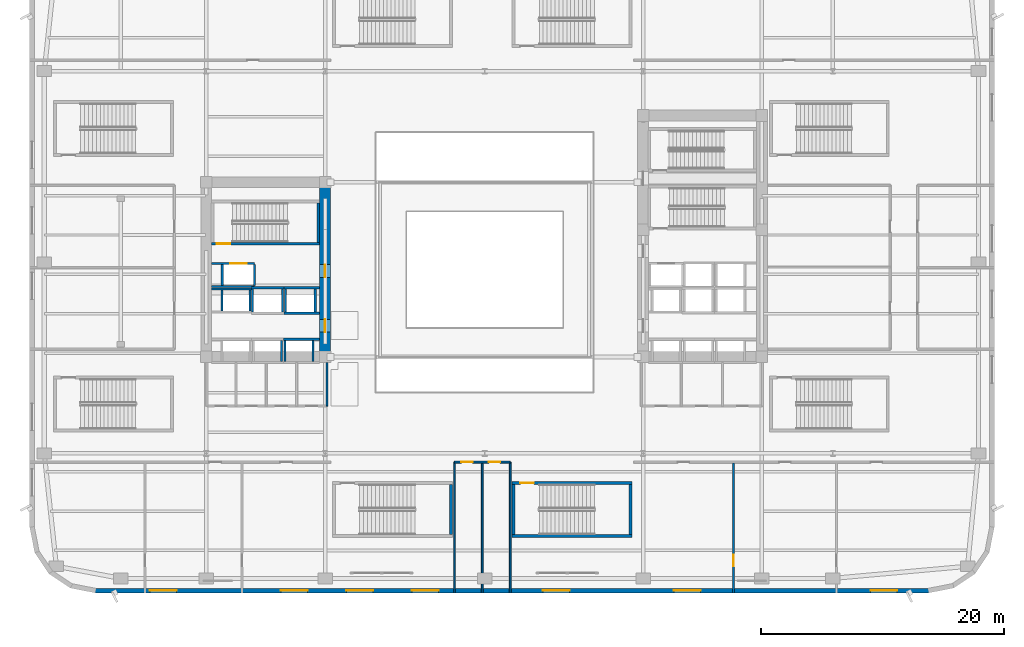
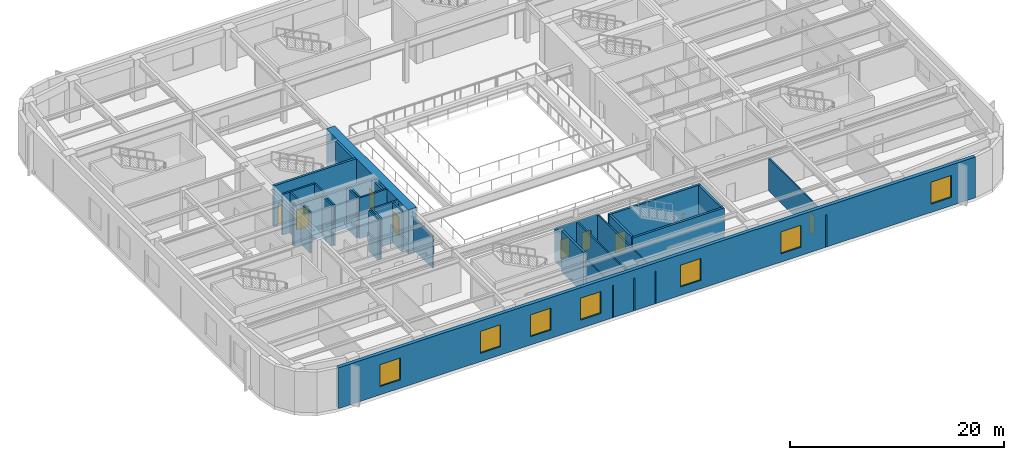
# One storey, part 7 of 22: 33 walls, 8 doors, 7 windows, 15 openings.
"""IFC4 building model written with IfcOpenShell, lengths in metres."""

from ifc_helpers import new_model, si_unit, direction, frame, frame_2d, origin, place, context, subcontext, project, spatial, rectangle, extrude, material, layer, layer_set, type_object, element, fill, save


model = new_model("IFC4")

# Units and contexts
model_context = context("Model", 3, precision=1e-05, world=origin(), true_north=direction((0.0, 1.0)))
body_context = subcontext(model_context, "Body", "Model", "MODEL_VIEW")
ifc_project = project(units=[si_unit("LENGTHUNIT", "METRE"), si_unit("AREAUNIT", "SQUARE_METRE"), si_unit("VOLUMEUNIT", "CUBIC_METRE"), si_unit("PLANEANGLEUNIT", "RADIAN"), si_unit("MASSUNIT", "GRAM", prefix="KILO")], contexts=[model_context])

# Site, building, storey
site_placement = place(None, origin())
site = spatial("IfcSite", under=ifc_project, at=site_placement, CompositionType="ELEMENT")
building_placement = place(site_placement, origin())
building = spatial("IfcBuilding", under=site, at=building_placement, Name="Kolvaren Arena Tower", CompositionType="ELEMENT")
storey_placement = place(building_placement, frame((0.0, 0.0, 13.0)))
storey = spatial("IfcBuildingStorey", under=building, at=storey_placement, Name="L02", CompositionType="ELEMENT", Elevation=13.0)

# Wall, openings, doors
ifc_material_1 = material(Name="Gypsum board acoustic assembly", Category="gypsum")
ifc_layer_1 = layer(ifc_material_1, 0.159912109375)
ifc_layer_set_1 = layer_set([ifc_layer_1], Name="Gypsum board acoustic assembly")
wall_type_1 = type_object("IfcWallType", Name="CORR-160", PredefinedType="PARTITIONING", material=ifc_layer_set_1)
wall_1_placement = place(storey_placement, frame((35.0, 10.780029296875, 0.0), z_axis=(0.0, 0.0, 1.0), x_axis=(1.0, 0.0, 0.0)))
wall_1 = element("IfcWall", 1, at=wall_1_placement, inside=storey, type_object=wall_type_1, Name="Interior Partition Wall (L02)", PredefinedType="PARTITIONING", context=body_context, shape_type="SweptSolid", body=[
    extrude(rectangle(XDim=4.60009765625, YDim=0.159912109375, at=frame_2d((2.300048828125, 0.0))), origin(), (0.0, 0.0, 1.0), 3.7099609375),
])
opening_1_placement = place(wall_1_placement, frame((0.550048828125, 0.0, 0.0)))
opening_1 = element("IfcOpeningElement", 2, at=opening_1_placement, cuts=wall_1, Name="Opening D05", PredefinedType="OPENING", context=body_context, shape_type="SweptSolid", body=[
    extrude(rectangle(XDim=0.949951171875, YDim=2.14990234375, at=frame_2d((0.47509765625, 1.074951171875))), frame((0.0, 0.08984375, 0.0), z_axis=(0.0, -1.0, 0.0), x_axis=(1.0, 0.0, 0.0)), (0.0, 0.0, 1.0), 0.179931640625),
])
opening_2_placement = place(wall_1_placement, frame((2.85009765625, 0.0, 0.0)))
opening_2 = element("IfcOpeningElement", 3, at=opening_2_placement, cuts=wall_1, Name="Opening D05", PredefinedType="OPENING", context=body_context, shape_type="SweptSolid", body=[
    extrude(rectangle(XDim=0.949951171875, YDim=2.14990234375, at=frame_2d((0.47509765625, 1.074951171875))), frame((0.0, 0.08984375, 0.0), z_axis=(0.0, -1.0, 0.0), x_axis=(1.0, 0.0, 0.0)), (0.0, 0.0, 1.0), 0.179931640625),
])
ifc_material_2 = material(Name="Solid-core oak acoustic office door", Category="wood")
door_type_1 = type_object("IfcDoorType", Name="DOOR-OF-095", OperationType="NOTDEFINED", PredefinedType="DOOR", material=ifc_material_2)
door_1_placement = place(opening_1_placement, origin())
door_1 = element("IfcDoor", 4, at=door_1_placement, inside=storey, type_object=door_type_1, Name="South VIP Check-In Door (L02)", OperationType="SINGLE_SWING_LEFT", OverallHeight=2.14990234375, OverallWidth=0.949951171875, PredefinedType="DOOR", context=body_context, shape_type="SweptSolid", body=[
    extrude(rectangle(XDim=0.949951171875, YDim=2.14990234375, at=frame_2d((0.47509765625, 1.074951171875))), frame((0.0, 0.02490234375, 0.0), z_axis=(0.0, -1.0, 0.0), x_axis=(1.0, 0.0, 0.0)), (0.0, 0.0, 1.0), 0.050048828125),
])
fill(opening_1, door_1)
door_2_placement = place(opening_2_placement, origin())
door_2 = element("IfcDoor", 5, at=door_2_placement, inside=storey, type_object=door_type_1, Name="South Media Accreditation Door (L02)", OperationType="SINGLE_SWING_RIGHT", OverallHeight=2.14990234375, OverallWidth=0.949951171875, PredefinedType="DOOR", context=body_context, shape_type="SweptSolid", body=[
    extrude(rectangle(XDim=0.949951171875, YDim=2.14990234375, at=frame_2d((0.47509765625, 1.074951171875))), frame((0.0, 0.02490234375, 0.0), z_axis=(0.0, -1.0, 0.0), x_axis=(1.0, 0.0, 0.0)), (0.0, 0.0, 1.0), 0.050048828125),
])
fill(opening_2, door_2)

ifc_material_3 = material(Name="Concrete 80 MPa", Category="concrete")
ifc_layer_2 = layer(ifc_material_3, 0.89990234375)
ifc_layer_set_2 = layer_set([ifc_layer_2], Name="Concrete 80 MPa")
wall_type_2 = type_object("IfcWallType", Name="CWALL-900", PredefinedType="SHEAR", material=ifc_layer_set_2)
wall_2_placement = place(storey_placement, frame((24.35009765625, 19.0, -0.35009765625), z_axis=(0.0, 0.0, 1.0), x_axis=(0.0, 1.0, 0.0)))
wall_2 = element("IfcWall", 6, at=wall_2_placement, inside=storey, type_object=wall_type_2, Name="Core Shear Wall WC-EAST (L02)", PredefinedType="SHEAR", context=body_context, shape_type="SweptSolid", body=[
    extrude(rectangle(XDim=15.300048828125, YDim=0.89990234375, at=frame_2d((7.64990234375, 0.0))), origin(), (0.0, 0.0, 1.0), 5.0),
])
opening_3_placement = place(wall_2_placement, frame((2.5, 0.0, 0.35009765625)))
opening_3 = element("IfcOpeningElement", 7, at=opening_3_placement, cuts=wall_2, Name="Opening D04", PredefinedType="OPENING", context=body_context, shape_type="SweptSolid", body=[
    extrude(rectangle(XDim=1.050048828125, YDim=2.14990234375, at=frame_2d((0.52490234375, 1.074951171875))), frame((0.0, 0.4599609375, 0.0), z_axis=(0.0, -1.0, 0.0), x_axis=(1.0, 0.0, 0.0)), (0.0, 0.0, 1.0), 0.919921875),
])
opening_4_placement = place(wall_2_placement, frame((7.0, 0.0, 0.35009765625)))
opening_4 = element("IfcOpeningElement", 8, at=opening_4_placement, cuts=wall_2, Name="Opening D04", PredefinedType="OPENING", context=body_context, shape_type="SweptSolid", body=[
    extrude(rectangle(XDim=1.050048828125, YDim=2.14990234375, at=frame_2d((0.52490234375, 1.074951171875))), frame((0.0, 0.4599609375, 0.0), z_axis=(0.0, -1.0, 0.0), x_axis=(1.0, 0.0, 0.0)), (0.0, 0.0, 1.0), 0.919921875),
])
ifc_material_4 = material(Name="Fire-rated steel lobby door", Category="steel")
door_type_2 = type_object("IfcDoorType", Name="DOOR-FF-105", OperationType="NOTDEFINED", PredefinedType="DOOR", material=ifc_material_4)
door_3_placement = place(opening_3_placement, origin())
door_3 = element("IfcDoor", 9, at=door_3_placement, inside=storey, type_object=door_type_2, Name="West Lift Lobby Fire Door (L02)", OperationType="SINGLE_SWING_LEFT", OverallHeight=2.14990234375, OverallWidth=1.050048828125, PredefinedType="DOOR", context=body_context, shape_type="SweptSolid", body=[
    extrude(rectangle(XDim=1.050048828125, YDim=2.14990234375, at=frame_2d((0.52490234375, 1.074951171875))), frame((0.0, 0.02490234375, 0.0), z_axis=(0.0, -1.0, 0.0), x_axis=(1.0, 0.0, 0.0)), (0.0, 0.0, 1.0), 0.050048828125),
])
fill(opening_3, door_3)
door_4_placement = place(opening_4_placement, origin())
door_4 = element("IfcDoor", 10, at=door_4_placement, inside=storey, type_object=door_type_2, Name="West Firefighter Vestibule Door (L02)", OperationType="SINGLE_SWING_RIGHT", OverallHeight=2.14990234375, OverallWidth=1.050048828125, PredefinedType="DOOR", context=body_context, shape_type="SweptSolid", body=[
    extrude(rectangle(XDim=1.050048828125, YDim=2.14990234375, at=frame_2d((0.52490234375, 1.074951171875))), frame((0.0, 0.02490234375, 0.0), z_axis=(0.0, -1.0, 0.0), x_axis=(1.0, 0.0, 0.0)), (0.0, 0.0, 1.0), 0.050048828125),
])
fill(opening_4, door_4)

# Wall, openings, windows
ifc_material_5 = material(Name="Precast concrete C50/60", Category="concrete")
ifc_layer_3 = layer(ifc_material_5, 0.3798828125)
ifc_layer_set_3 = layer_set([ifc_layer_3], Name="Precast concrete C50/60")
wall_type_3 = type_object("IfcWallType", Name="EXT-ARENA", PredefinedType="SOLIDWALL", material=ifc_layer_set_3)
wall_3_placement = place(storey_placement, frame((74.10009765625, 0.18994140625, 0.0), z_axis=(0.0, 0.0, 1.0), x_axis=(-1.0, 0.0, 0.0)))
wall_3 = element("IfcWall", 11, at=wall_3_placement, inside=storey, type_object=wall_type_3, Name="Exterior Precast Masonry-Frame Wall (L02)", PredefinedType="SOLIDWALL", context=body_context, shape_type="SweptSolid", body=[
    extrude(rectangle(XDim=68.7001953125, YDim=0.3798828125, at=frame_2d((34.35009765625, 0.0))), origin(), (0.0, 0.0, 1.0), 4.64990234375),
])
opening_5_placement = place(wall_3_placement, frame((2.60009765625, 0.0, 0.949951171875)))
opening_5 = element("IfcOpeningElement", 12, at=opening_5_placement, cuts=wall_3, Name="Opening W07", PredefinedType="OPENING", context=body_context, shape_type="SweptSolid", body=[
    extrude(rectangle(XDim=2.199951171875, YDim=2.5, at=frame_2d((1.10009765625, 1.25))), frame((0.0, 0.199951171875, 0.0), z_axis=(0.0, -1.0, 0.0), x_axis=(1.0, 0.0, 0.0)), (0.0, 0.0, 1.0), 0.39990234375),
])
opening_6_placement = place(wall_3_placement, frame((18.800048828125, 0.0, 0.949951171875)))
opening_6 = element("IfcOpeningElement", 13, at=opening_6_placement, cuts=wall_3, Name="Opening W07", PredefinedType="OPENING", context=body_context, shape_type="SweptSolid", body=[
    extrude(rectangle(XDim=2.199951171875, YDim=2.5, at=frame_2d((1.10009765625, 1.25))), frame((0.0, 0.199951171875, 0.0), z_axis=(0.0, -1.0, 0.0), x_axis=(1.0, 0.0, 0.0)), (0.0, 0.0, 1.0), 0.39990234375),
])
opening_7_placement = place(wall_3_placement, frame((29.60009765625, 0.0, 0.949951171875)))
opening_7 = element("IfcOpeningElement", 14, at=opening_7_placement, cuts=wall_3, Name="Opening W07", PredefinedType="OPENING", context=body_context, shape_type="SweptSolid", body=[
    extrude(rectangle(XDim=2.199951171875, YDim=2.5, at=frame_2d((1.10009765625, 1.25))), frame((0.0, 0.199951171875, 0.0), z_axis=(0.0, -1.0, 0.0), x_axis=(1.0, 0.0, 0.0)), (0.0, 0.0, 1.0), 0.39990234375),
])
opening_8_placement = place(wall_3_placement, frame((40.39990234375, 0.0, 0.949951171875)))
opening_8 = element("IfcOpeningElement", 15, at=opening_8_placement, cuts=wall_3, Name="Opening W07", PredefinedType="OPENING", context=body_context, shape_type="SweptSolid", body=[
    extrude(rectangle(XDim=2.199951171875, YDim=2.5, at=frame_2d((1.10009765625, 1.25))), frame((0.0, 0.199951171875, 0.0), z_axis=(0.0, -1.0, 0.0), x_axis=(1.0, 0.0, 0.0)), (0.0, 0.0, 1.0), 0.39990234375),
])
opening_9_placement = place(wall_3_placement, frame((45.800048828125, 0.0, 0.949951171875)))
opening_9 = element("IfcOpeningElement", 16, at=opening_9_placement, cuts=wall_3, Name="Opening W07", PredefinedType="OPENING", context=body_context, shape_type="SweptSolid", body=[
    extrude(rectangle(XDim=2.199951171875, YDim=2.5, at=frame_2d((1.10009765625, 1.25))), frame((0.0, 0.199951171875, 0.0), z_axis=(0.0, -1.0, 0.0), x_axis=(1.0, 0.0, 0.0)), (0.0, 0.0, 1.0), 0.39990234375),
])
opening_10_placement = place(wall_3_placement, frame((51.199951171875, 0.0, 0.949951171875)))
opening_10 = element("IfcOpeningElement", 17, at=opening_10_placement, cuts=wall_3, Name="Opening W07", PredefinedType="OPENING", context=body_context, shape_type="SweptSolid", body=[
    extrude(rectangle(XDim=2.199951171875, YDim=2.5, at=frame_2d((1.10009765625, 1.25))), frame((0.0, 0.199951171875, 0.0), z_axis=(0.0, -1.0, 0.0), x_axis=(1.0, 0.0, 0.0)), (0.0, 0.0, 1.0), 0.39990234375),
])
opening_11_placement = place(wall_3_placement, frame((62.0, 0.0, 0.949951171875)))
opening_11 = element("IfcOpeningElement", 18, at=opening_11_placement, cuts=wall_3, Name="Opening W07", PredefinedType="OPENING", context=body_context, shape_type="SweptSolid", body=[
    extrude(rectangle(XDim=2.199951171875, YDim=2.5, at=frame_2d((1.10009765625, 1.25))), frame((0.0, 0.199951171875, 0.0), z_axis=(0.0, -1.0, 0.0), x_axis=(1.0, 0.0, 0.0)), (0.0, 0.0, 1.0), 0.39990234375),
])
ifc_material_6 = material(Name="Triple-glazed arena concourse window", Category="glass")
window_type = type_object("IfcWindowType", Name="WIN-POD-A", PartitioningType="DOUBLE_PANEL_VERTICAL", PredefinedType="WINDOW", material=ifc_material_6)
window_1_placement = place(opening_5_placement, origin())
window_1 = element("IfcWindow", 19, at=window_1_placement, inside=storey, type_object=window_type, Name="Punched Precast-Pier Window (L02)", OverallHeight=2.5, OverallWidth=2.199951171875, PartitioningType="DOUBLE_PANEL_VERTICAL", PredefinedType="WINDOW", context=body_context, shape_type="SweptSolid", body=[
    extrude(rectangle(XDim=2.199951171875, YDim=2.5, at=frame_2d((1.10009765625, 1.25))), frame((0.0, 0.030029296875, 0.0), z_axis=(0.0, -1.0, 0.0), x_axis=(1.0, 0.0, 0.0)), (0.0, 0.0, 1.0), 0.06005859375),
])
fill(opening_5, window_1)
window_2_placement = place(opening_6_placement, origin())
window_2 = element("IfcWindow", 20, at=window_2_placement, inside=storey, type_object=window_type, Name="Punched Precast-Pier Window (L02)", OverallHeight=2.5, OverallWidth=2.199951171875, PartitioningType="DOUBLE_PANEL_VERTICAL", PredefinedType="WINDOW", context=body_context, shape_type="SweptSolid", body=[
    extrude(rectangle(XDim=2.199951171875, YDim=2.5, at=frame_2d((1.10009765625, 1.25))), frame((0.0, 0.030029296875, 0.0), z_axis=(0.0, -1.0, 0.0), x_axis=(1.0, 0.0, 0.0)), (0.0, 0.0, 1.0), 0.06005859375),
])
fill(opening_6, window_2)
window_3_placement = place(opening_7_placement, origin())
window_3 = element("IfcWindow", 21, at=window_3_placement, inside=storey, type_object=window_type, Name="Punched Precast-Pier Window (L02)", OverallHeight=2.5, OverallWidth=2.199951171875, PartitioningType="DOUBLE_PANEL_VERTICAL", PredefinedType="WINDOW", context=body_context, shape_type="SweptSolid", body=[
    extrude(rectangle(XDim=2.199951171875, YDim=2.5, at=frame_2d((1.10009765625, 1.25))), frame((0.0, 0.030029296875, 0.0), z_axis=(0.0, -1.0, 0.0), x_axis=(1.0, 0.0, 0.0)), (0.0, 0.0, 1.0), 0.06005859375),
])
fill(opening_7, window_3)
window_4_placement = place(opening_8_placement, origin())
window_4 = element("IfcWindow", 22, at=window_4_placement, inside=storey, type_object=window_type, Name="Punched Precast-Pier Window (L02)", OverallHeight=2.5, OverallWidth=2.199951171875, PartitioningType="DOUBLE_PANEL_VERTICAL", PredefinedType="WINDOW", context=body_context, shape_type="SweptSolid", body=[
    extrude(rectangle(XDim=2.199951171875, YDim=2.5, at=frame_2d((1.10009765625, 1.25))), frame((0.0, 0.030029296875, 0.0), z_axis=(0.0, -1.0, 0.0), x_axis=(1.0, 0.0, 0.0)), (0.0, 0.0, 1.0), 0.06005859375),
])
fill(opening_8, window_4)
window_5_placement = place(opening_9_placement, origin())
window_5 = element("IfcWindow", 23, at=window_5_placement, inside=storey, type_object=window_type, Name="Punched Precast-Pier Window (L02)", OverallHeight=2.5, OverallWidth=2.199951171875, PartitioningType="DOUBLE_PANEL_VERTICAL", PredefinedType="WINDOW", context=body_context, shape_type="SweptSolid", body=[
    extrude(rectangle(XDim=2.199951171875, YDim=2.5, at=frame_2d((1.10009765625, 1.25))), frame((0.0, 0.030029296875, 0.0), z_axis=(0.0, -1.0, 0.0), x_axis=(1.0, 0.0, 0.0)), (0.0, 0.0, 1.0), 0.06005859375),
])
fill(opening_9, window_5)
window_6_placement = place(opening_10_placement, origin())
window_6 = element("IfcWindow", 24, at=window_6_placement, inside=storey, type_object=window_type, Name="Punched Precast-Pier Window (L02)", OverallHeight=2.5, OverallWidth=2.199951171875, PartitioningType="DOUBLE_PANEL_VERTICAL", PredefinedType="WINDOW", context=body_context, shape_type="SweptSolid", body=[
    extrude(rectangle(XDim=2.199951171875, YDim=2.5, at=frame_2d((1.10009765625, 1.25))), frame((0.0, 0.030029296875, 0.0), z_axis=(0.0, -1.0, 0.0), x_axis=(1.0, 0.0, 0.0)), (0.0, 0.0, 1.0), 0.06005859375),
])
fill(opening_10, window_6)
window_7_placement = place(opening_11_placement, origin())
window_7 = element("IfcWindow", 25, at=window_7_placement, inside=storey, type_object=window_type, Name="Punched Precast-Pier Window (L02)", OverallHeight=2.5, OverallWidth=2.199951171875, PartitioningType="DOUBLE_PANEL_VERTICAL", PredefinedType="WINDOW", context=body_context, shape_type="SweptSolid", body=[
    extrude(rectangle(XDim=2.199951171875, YDim=2.5, at=frame_2d((1.10009765625, 1.25))), frame((0.0, 0.030029296875, 0.0), z_axis=(0.0, -1.0, 0.0), x_axis=(1.0, 0.0, 0.0)), (0.0, 0.0, 1.0), 0.06005859375),
])
fill(opening_11, window_7)

# Wall, opening, door
ifc_material_7 = material(Name="Gypsum board partition assembly", Category="gypsum")
ifc_layer_4 = layer(ifc_material_7, 0.135009765625)
ifc_layer_set_4 = layer_set([ifc_layer_4], Name="Gypsum board partition assembly")
wall_type_4 = type_object("IfcWallType", Name="PART-135", PredefinedType="PARTITIONING", material=ifc_layer_set_4)
wall_4_placement = place(storey_placement, frame((58.0, 0.0, 0.0), z_axis=(0.0, 0.0, 1.0), x_axis=(0.0, 1.0, 0.0)))
wall_4 = element("IfcWall", 26, at=wall_4_placement, inside=storey, type_object=wall_type_4, Name="Interior Partition Wall (L02)", PredefinedType="PARTITIONING", context=body_context, shape_type="SweptSolid", body=[
    extrude(rectangle(XDim=10.68994140625, YDim=0.135009765625, at=frame_2d((5.344970703125, 0.0))), origin(), (0.0, 0.0, 1.0), 3.7099609375),
])
opening_12_placement = place(wall_4_placement, frame((2.199951171875, 0.0, 0.0)))
opening_12 = element("IfcOpeningElement", 27, at=opening_12_placement, cuts=wall_4, Name="Opening D05", PredefinedType="OPENING", context=body_context, shape_type="SweptSolid", body=[
    extrude(rectangle(XDim=0.949951171875, YDim=2.14990234375, at=frame_2d((0.47509765625, 1.074951171875))), frame((0.0, 0.077392578125, 0.0), z_axis=(0.0, -1.0, 0.0), x_axis=(1.0, 0.0, 0.0)), (0.0, 0.0, 1.0), 0.155029296875),
])
door_5_placement = place(opening_12_placement, origin())
door_5 = element("IfcDoor", 28, at=door_5_placement, inside=storey, type_object=door_type_1, Name="Beverage Commissary Connecting Door (L02)", OperationType="SINGLE_SWING_LEFT", OverallHeight=2.14990234375, OverallWidth=0.949951171875, PredefinedType="DOOR", context=body_context, shape_type="SweptSolid", body=[
    extrude(rectangle(XDim=0.949951171875, YDim=2.14990234375, at=frame_2d((0.47509765625, 1.074951171875))), frame((0.0, 0.02490234375, 0.0), z_axis=(0.0, -1.0, 0.0), x_axis=(1.0, 0.0, 0.0)), (0.0, 0.0, 1.0), 0.050048828125),
])
fill(opening_12, door_5)

# Walls
wall_5_placement = place(storey_placement, frame((37.300048828125, 0.0, 0.0), z_axis=(0.0, 0.0, 1.0), x_axis=(0.0, 1.0, 0.0)))
element("IfcWall", 29, at=wall_5_placement, inside=storey, type_object=wall_type_4, Name="Interior Partition Wall (L02)", PredefinedType="PARTITIONING", context=body_context, shape_type="SweptSolid", body=[
    extrude(rectangle(XDim=10.699951171875, YDim=0.135009765625, at=frame_2d((5.35009765625, 0.0))), origin(), (0.0, 0.0, 1.0), 3.7099609375),
])
for number, where, z_axis, x_axis, name in (
    (30, (35.0, 0.0, 0.0), (0.0, 0.0, 1.0), (0.0, 1.0, 0.0), "Interior Partition Wall (L02)"),
    (31, (39.60009765625, 0.0, 0.0), (0.0, 0.0, 1.0), (0.0, 1.0, 0.0), "Interior Partition Wall (L02)"),
):
    element("IfcWall", number, at=place(storey_placement, frame(where, z_axis=z_axis, x_axis=x_axis)), inside=storey, type_object=wall_type_4, Name=name, PredefinedType="PARTITIONING", context=body_context, shape_type="SweptSolid", body=[
        extrude(rectangle(XDim=10.780029296875, YDim=0.135009765625, at=frame_2d((5.39013671875, 0.0))), origin(), (0.0, 0.0, 1.0), 3.7099609375),
    ])
ifc_material_8 = material(Name="Concrete 45 MPa", Category="concrete")
ifc_layer_5 = layer(ifc_material_8, 0.25)
ifc_layer_set_5 = layer_set([ifc_layer_5], Name="Concrete 45 MPa")
wall_type_5 = type_object("IfcWallType", Name="SHAFT-250", PredefinedType="SOLIDWALL", material=ifc_layer_set_5)
wall_6_placement = place(storey_placement, frame((34.719970703125, 4.800048828125, 0.0), z_axis=(0.0, 0.0, 1.0), x_axis=(0.0, 1.0, 0.0)))
element("IfcWall", 32, at=wall_6_placement, inside=storey, type_object=wall_type_5, Name="Stair ST-A2 East Shaft Wall (L02)", PredefinedType="SOLIDWALL", context=body_context, shape_type="SweptSolid", body=[
    extrude(rectangle(XDim=4.14990234375, YDim=0.239990234375, at=frame_2d((2.074951171875, 0.0))), origin(), (0.0, 0.0, 1.0), 4.64990234375),
])

# Wall, opening, door
wall_7_placement = place(storey_placement, frame((39.760009765625, 9.070068359375, 0.0), z_axis=(0.0, 0.0, 1.0), x_axis=(1.0, 0.0, 0.0)))
wall_7 = element("IfcWall", 33, at=wall_7_placement, inside=storey, type_object=wall_type_5, Name="Stair ST-A3 Rated Enclosure Wall (L02)", PredefinedType="SOLIDWALL", context=body_context, shape_type="SweptSolid", body=[
    extrude(rectangle(XDim=9.8798828125, YDim=0.239990234375, at=frame_2d((4.93994140625, 0.0))), origin(), (0.0, 0.0, 1.0), 4.64990234375),
])
opening_13_placement = place(wall_7_placement, frame((0.68994140625, 0.0, 0.0)))
opening_13 = element("IfcOpeningElement", 34, at=opening_13_placement, cuts=wall_7, Name="Opening D03", PredefinedType="OPENING", context=body_context, shape_type="SweptSolid", body=[
    extrude(rectangle(XDim=1.10009765625, YDim=2.14990234375, at=frame_2d((0.550048828125, 1.074951171875))), frame((0.0, 0.1298828125, 0.0), z_axis=(0.0, -1.0, 0.0), x_axis=(1.0, 0.0, 0.0)), (0.0, 0.0, 1.0), 0.260009765625),
])
ifc_material_9 = material(Name="Fire-rated steel exit stair door", Category="steel")
door_type_3 = type_object("IfcDoorType", Name="DOOR-ST-110", OperationType="NOTDEFINED", PredefinedType="DOOR", material=ifc_material_9)
door_6_placement = place(opening_13_placement, origin())
door_6 = element("IfcDoor", 35, at=door_6_placement, inside=storey, type_object=door_type_3, Name="Exit Stair ST-A3 Fire Door (L02)", OperationType="SINGLE_SWING_RIGHT", OverallHeight=2.14990234375, OverallWidth=1.10009765625, PredefinedType="DOOR", context=body_context, shape_type="SweptSolid", body=[
    extrude(rectangle(XDim=1.10009765625, YDim=2.14990234375, at=frame_2d((0.550048828125, 1.074951171875))), frame((0.0, 0.02490234375, 0.0), z_axis=(0.0, -1.0, 0.0), x_axis=(1.0, 0.0, 0.0)), (0.0, 0.0, 1.0), 0.050048828125),
])
fill(opening_13, door_6)

# Walls
wall_8_placement = place(storey_placement, frame((39.760009765625, 4.679931640625, 0.0), z_axis=(0.0, 0.0, 1.0), x_axis=(1.0, 0.0, 0.0)))
element("IfcWall", 36, at=wall_8_placement, inside=storey, type_object=wall_type_5, Name="Stair ST-A3 Rear Shaft Wall (L02)", PredefinedType="SOLIDWALL", context=body_context, shape_type="SweptSolid", body=[
    extrude(rectangle(XDim=9.8798828125, YDim=0.239990234375, at=frame_2d((4.93994140625, 0.0))), origin(), (0.0, 0.0, 1.0), 4.64990234375),
])
for number, where, z_axis, x_axis, name in (
    (37, (39.8798828125, 4.800048828125, 0.0), (0.0, 0.0, 1.0), (0.0, 1.0, 0.0), "Stair ST-A3 West Shaft Wall (L02)"),
    (38, (49.52001953125, 4.800048828125, 0.0), (0.0, 0.0, 1.0), (0.0, 1.0, 0.0), "Stair ST-A3 East Shaft Wall (L02)"),
):
    element("IfcWall", number, at=place(storey_placement, frame(where, z_axis=z_axis, x_axis=x_axis)), inside=storey, type_object=wall_type_5, Name=name, PredefinedType="SOLIDWALL", context=body_context, shape_type="SweptSolid", body=[
        extrude(rectangle(XDim=4.14990234375, YDim=0.239990234375, at=frame_2d((2.074951171875, 0.0))), origin(), (0.0, 0.0, 1.0), 4.64990234375),
    ])

# Wall, opening, door
wall_9_placement = place(storey_placement, frame((23.89990234375, 28.780029296875, 0.0), z_axis=(0.0, 0.0, 1.0), x_axis=(-1.0, 0.0, 0.0)))
wall_9 = element("IfcWall", 39, at=wall_9_placement, inside=storey, type_object=wall_type_5, Name="Core Shaft Wall (L02)", PredefinedType="SOLIDWALL", context=body_context, shape_type="SweptSolid", body=[
    extrude(rectangle(XDim=8.89990234375, YDim=0.239990234375, at=frame_2d((4.449951171875, 0.0))), origin(), (0.0, 0.0, 1.0), 4.64990234375),
])
opening_14_placement = place(wall_9_placement, frame((7.3798828125, 0.0, 0.0)))
opening_14 = element("IfcOpeningElement", 40, at=opening_14_placement, cuts=wall_9, Name="Opening D03", PredefinedType="OPENING", context=body_context, shape_type="SweptSolid", body=[
    extrude(rectangle(XDim=1.10009765625, YDim=2.14990234375, at=frame_2d((0.550048828125, 1.074951171875))), frame((0.0, 0.1298828125, 0.0), z_axis=(0.0, -1.0, 0.0), x_axis=(1.0, 0.0, 0.0)), (0.0, 0.0, 1.0), 0.260009765625),
])
door_7_placement = place(opening_14_placement, origin())
door_7 = element("IfcDoor", 41, at=door_7_placement, inside=storey, type_object=door_type_3, Name="Stair ST-W1 Fire Door (L02)", OperationType="SINGLE_SWING_RIGHT", OverallHeight=2.14990234375, OverallWidth=1.10009765625, PredefinedType="DOOR", context=body_context, shape_type="SweptSolid", body=[
    extrude(rectangle(XDim=1.10009765625, YDim=2.14990234375, at=frame_2d((0.550048828125, 1.074951171875))), frame((0.0, 0.02490234375, 0.0), z_axis=(0.0, -1.0, 0.0), x_axis=(1.0, 0.0, 0.0)), (0.0, 0.0, 1.0), 0.050048828125),
])
fill(opening_14, door_7)

# Walls
wall_10_placement = place(storey_placement, frame((23.780029296875, 28.89990234375, 0.0), z_axis=(0.0, 0.0, 1.0), x_axis=(0.0, 1.0, 0.0)))
element("IfcWall", 42, at=wall_10_placement, inside=storey, type_object=wall_type_5, Name="Core Shaft Wall (L02)", PredefinedType="SOLIDWALL", context=body_context, shape_type="SweptSolid", body=[
    extrude(rectangle(XDim=3.22998046875, YDim=0.239990234375, at=frame_2d((1.614990234375, 0.0))), origin(), (0.0, 0.0, 1.0), 4.64990234375),
])
wall_11_placement = place(storey_placement, frame((20.7548828125, 19.0849609375, 0.0), z_axis=(0.0, 0.0, 1.0), x_axis=(0.0, 1.0, 0.0)))
element("IfcWall", 43, at=wall_11_placement, inside=storey, type_object=wall_type_5, Name="Core Shaft Wall (L02)", PredefinedType="SOLIDWALL", context=body_context, shape_type="SweptSolid", body=[
    extrude(rectangle(XDim=1.72998046875, YDim=0.179931640625, at=frame_2d((0.864990234375, 0.0))), origin(), (0.0, 0.0, 1.0), 4.64990234375),
])
wall_12_placement = place(storey_placement, frame((20.89990234375, 20.905029296875, 0.0), z_axis=(0.0, 0.0, 1.0), x_axis=(1.0, 0.0, 0.0)))
element("IfcWall", 44, at=wall_12_placement, inside=storey, type_object=wall_type_5, Name="Core Shaft Wall (L02)", PredefinedType="SOLIDWALL", context=body_context, shape_type="SweptSolid", body=[
    extrude(rectangle(XDim=3.0, YDim=0.179931640625, at=frame_2d((1.5, 0.0))), origin(), (0.0, 0.0, 1.0), 4.64990234375),
])
for number, where, z_axis, x_axis, name in (
    (45, (21.044921875, 19.0849609375, 0.0), (0.0, 0.0, 1.0), (0.0, 1.0, 0.0), "Core Shaft Wall (L02)"),
    (46, (23.35498046875, 19.0849609375, 0.0), (0.0, 0.0, 1.0), (0.0, 1.0, 0.0), "Core Shaft Wall (L02)"),
):
    element("IfcWall", number, at=place(storey_placement, frame(where, z_axis=z_axis, x_axis=x_axis)), inside=storey, type_object=wall_type_5, Name=name, PredefinedType="SOLIDWALL", context=body_context, shape_type="SweptSolid", body=[
        extrude(rectangle(XDim=1.72998046875, YDim=0.179931640625, at=frame_2d((0.864990234375, 0.0))), origin(), (0.0, 0.0, 1.0), 4.64990234375),
    ])
wall_13_placement = place(storey_placement, frame((15.0, 25.054931640625, 0.0), z_axis=(0.0, 0.0, 1.0), x_axis=(1.0, 0.0, 0.0)))
element("IfcWall", 47, at=wall_13_placement, inside=storey, type_object=wall_type_5, Name="Core Shaft Wall (L02)", PredefinedType="SOLIDWALL", context=body_context, shape_type="SweptSolid", body=[
    extrude(rectangle(XDim=3.262451171875, YDim=0.179931640625, at=frame_2d((1.63134765625, 0.0))), origin(), (0.0, 0.0, 1.0), 4.64990234375),
])
for number, where, z_axis, x_axis, name in (
    (48, (15.844970703125, 23.235107421875, 0.0), (0.0, 0.0, 1.0), (0.0, 1.0, 0.0), "Core Shaft Wall (L02)"),
    (49, (18.155029296875, 23.235107421875, 0.0), (0.0, 0.0, 1.0), (0.0, 1.0, 0.0), "Core Shaft Wall (L02)"),
):
    element("IfcWall", number, at=place(storey_placement, frame(where, z_axis=z_axis, x_axis=x_axis)), inside=storey, type_object=wall_type_5, Name=name, PredefinedType="SOLIDWALL", context=body_context, shape_type="SweptSolid", body=[
        extrude(rectangle(XDim=1.72998046875, YDim=0.179931640625, at=frame_2d((0.864990234375, 0.0))), origin(), (0.0, 0.0, 1.0), 4.64990234375),
    ])
wall_14_placement = place(storey_placement, frame((18.262451171875, 25.155029296875, 0.0), z_axis=(0.0, 0.0, 1.0), x_axis=(1.0, 0.0, 0.0)))
element("IfcWall", 50, at=wall_14_placement, inside=storey, type_object=wall_type_5, Name="Core Shaft Wall (L02)", PredefinedType="SOLIDWALL", context=body_context, shape_type="SweptSolid", body=[
    extrude(rectangle(XDim=2.6875, YDim=0.179931640625, at=frame_2d((1.34375, 0.0))), origin(), (0.0, 0.0, 1.0), 4.64990234375),
])
for number, where, z_axis, x_axis, name in (
    (51, (18.3701171875, 23.135009765625, 0.0), (0.0, 0.0, 1.0), (0.0, 1.0, 0.0), "Core Shaft Wall (L02)"),
    (52, (20.830078125, 23.135009765625, 0.0), (0.0, 0.0, 1.0), (0.0, 1.0, 0.0), "Core Shaft Wall (L02)"),
):
    element("IfcWall", number, at=place(storey_placement, frame(where, z_axis=z_axis, x_axis=x_axis)), inside=storey, type_object=wall_type_5, Name=name, PredefinedType="SOLIDWALL", context=body_context, shape_type="SweptSolid", body=[
        extrude(rectangle(XDim=1.929931640625, YDim=0.179931640625, at=frame_2d((0.96484375, 0.0))), origin(), (0.0, 0.0, 1.0), 4.64990234375),
    ])
for number, where, z_axis, x_axis, name in (
    (53, (20.949951171875, 25.155029296875, 0.0), (0.0, 0.0, 1.0), (1.0, 0.0, 0.0), "Core Shaft Wall (L02)"),
    (54, (20.949951171875, 23.044921875, 0.0), (0.0, 0.0, 1.0), (1.0, 0.0, 0.0), "Core Shaft Wall (L02)"),
):
    element("IfcWall", number, at=place(storey_placement, frame(where, z_axis=z_axis, x_axis=x_axis)), inside=storey, type_object=wall_type_5, Name=name, PredefinedType="SOLIDWALL", context=body_context, shape_type="SweptSolid", body=[
        extrude(rectangle(XDim=2.949951171875, YDim=0.179931640625, at=frame_2d((1.47509765625, 0.0))), origin(), (0.0, 0.0, 1.0), 4.64990234375),
    ])
for number, where, z_axis, x_axis, name in (
    (55, (21.070068359375, 23.135009765625, 0.0), (0.0, 0.0, 1.0), (0.0, 1.0, 0.0), "Core Shaft Wall (L02)"),
    (56, (23.530029296875, 23.135009765625, 0.0), (0.0, 0.0, 1.0), (0.0, 1.0, 0.0), "Core Shaft Wall (L02)"),
):
    element("IfcWall", number, at=place(storey_placement, frame(where, z_axis=z_axis, x_axis=x_axis)), inside=storey, type_object=wall_type_5, Name=name, PredefinedType="SOLIDWALL", context=body_context, shape_type="SweptSolid", body=[
        extrude(rectangle(XDim=1.929931640625, YDim=0.179931640625, at=frame_2d((0.96484375, 0.0))), origin(), (0.0, 0.0, 1.0), 4.64990234375),
    ])

# Wall, opening, door
wall_15_placement = place(storey_placement, frame((15.0, 27.155029296875, 0.0), z_axis=(0.0, 0.0, 1.0), x_axis=(1.0, 0.0, 0.0)))
wall_15 = element("IfcWall", 57, at=wall_15_placement, inside=storey, type_object=wall_type_5, Name="Core Shaft Wall (L02)", PredefinedType="SOLIDWALL", context=body_context, shape_type="SweptSolid", body=[
    extrude(rectangle(XDim=3.530029296875, YDim=0.179931640625, at=frame_2d((1.76513671875, 0.0))), origin(), (0.0, 0.0, 1.0), 4.64990234375),
])
opening_15_placement = place(wall_15_placement, frame((1.52490234375, 0.0, 0.0)))
opening_15 = element("IfcOpeningElement", 58, at=opening_15_placement, cuts=wall_15, Name="Opening LD2", PredefinedType="OPENING", context=body_context, shape_type="SweptSolid", body=[
    extrude(rectangle(XDim=1.35009765625, YDim=2.300048828125, at=frame_2d((0.675048828125, 1.14990234375))), frame((0.0, 0.099853515625, 0.0), z_axis=(0.0, -1.0, 0.0), x_axis=(1.0, 0.0, 0.0)), (0.0, 0.0, 1.0), 0.199951171875),
])
ifc_material_10 = material(Name="Stainless steel firefighter lift landing door", Category="steel")
door_type_4 = type_object("IfcDoorType", Name="DOOR-LD-135", OperationType="DOUBLE_DOOR_SLIDING", PredefinedType="DOOR", material=ifc_material_10)
door_8_placement = place(opening_15_placement, origin())
door_8 = element("IfcDoor", 59, at=door_8_placement, inside=storey, type_object=door_type_4, Name="Firefighter Lift FF-W1 Landing Door (L02)", OperationType="DOUBLE_DOOR_SLIDING", OverallHeight=2.300048828125, OverallWidth=1.35009765625, PredefinedType="DOOR", context=body_context, shape_type="SweptSolid", body=[
    extrude(rectangle(XDim=1.35009765625, YDim=2.300048828125, at=frame_2d((0.675048828125, 1.14990234375))), frame((0.0, 0.02490234375, 0.0), z_axis=(0.0, -1.0, 0.0), x_axis=(1.0, 0.0, 0.0)), (0.0, 0.0, 1.0), 0.050048828125),
])
fill(opening_15, door_8)

# Walls
wall_16_placement = place(storey_placement, frame((15.0, 25.2451171875, 0.0), z_axis=(0.0, 0.0, 1.0), x_axis=(1.0, 0.0, 0.0)))
element("IfcWall", 60, at=wall_16_placement, inside=storey, type_object=wall_type_5, Name="Core Shaft Wall (L02)", PredefinedType="SOLIDWALL", context=body_context, shape_type="SweptSolid", body=[
    extrude(rectangle(XDim=3.530029296875, YDim=0.179931640625, at=frame_2d((1.76513671875, 0.0))), origin(), (0.0, 0.0, 1.0), 4.64990234375),
])
for number, where, z_axis, x_axis, name in (
    (61, (15.8701171875, 25.3349609375, 0.0), (0.0, 0.0, 1.0), (0.0, 1.0, 0.0), "Core Shaft Wall (L02)"),
    (62, (18.530029296875, 25.3349609375, 0.0), (0.0, 0.0, 1.0), (0.0, 1.0, 0.0), "Core Shaft Wall (L02)"),
):
    element("IfcWall", number, at=place(storey_placement, frame(where, z_axis=z_axis, x_axis=x_axis)), inside=storey, type_object=wall_type_5, Name=name, PredefinedType="SOLIDWALL", context=body_context, shape_type="SweptSolid", body=[
        extrude(rectangle(XDim=1.72998046875, YDim=0.179931640625, at=frame_2d((0.864990234375, 0.0))), origin(), (0.0, 0.0, 1.0), 4.64990234375),
    ])
ifc_material_11 = material(Name="Moisture-resistant gypsum assembly", Category="gypsum")
ifc_layer_6 = layer(ifc_material_11, 0.14990234375)
ifc_layer_set_6 = layer_set([ifc_layer_6], Name="Moisture-resistant gypsum assembly")
wall_type_6 = type_object("IfcWallType", Name="WETW-150", PredefinedType="PARTITIONING", material=ifc_layer_set_6)
wall_17_placement = place(storey_placement, frame((24.5, 15.39990234375, 0.0), z_axis=(0.0, 0.0, 1.0), x_axis=(0.0, 1.0, 0.0)))
element("IfcWall", 63, at=wall_17_placement, inside=storey, type_object=wall_type_6, Name="Interior Partition Wall (L02)", PredefinedType="PARTITIONING", context=body_context, shape_type="SweptSolid", body=[
    extrude(rectangle(XDim=3.580078125, YDim=0.14990234375, at=frame_2d((1.7900390625, 0.0))), origin(), (0.0, 0.0, 1.0), 3.7099609375),
])

save(model, "model.ifc")
